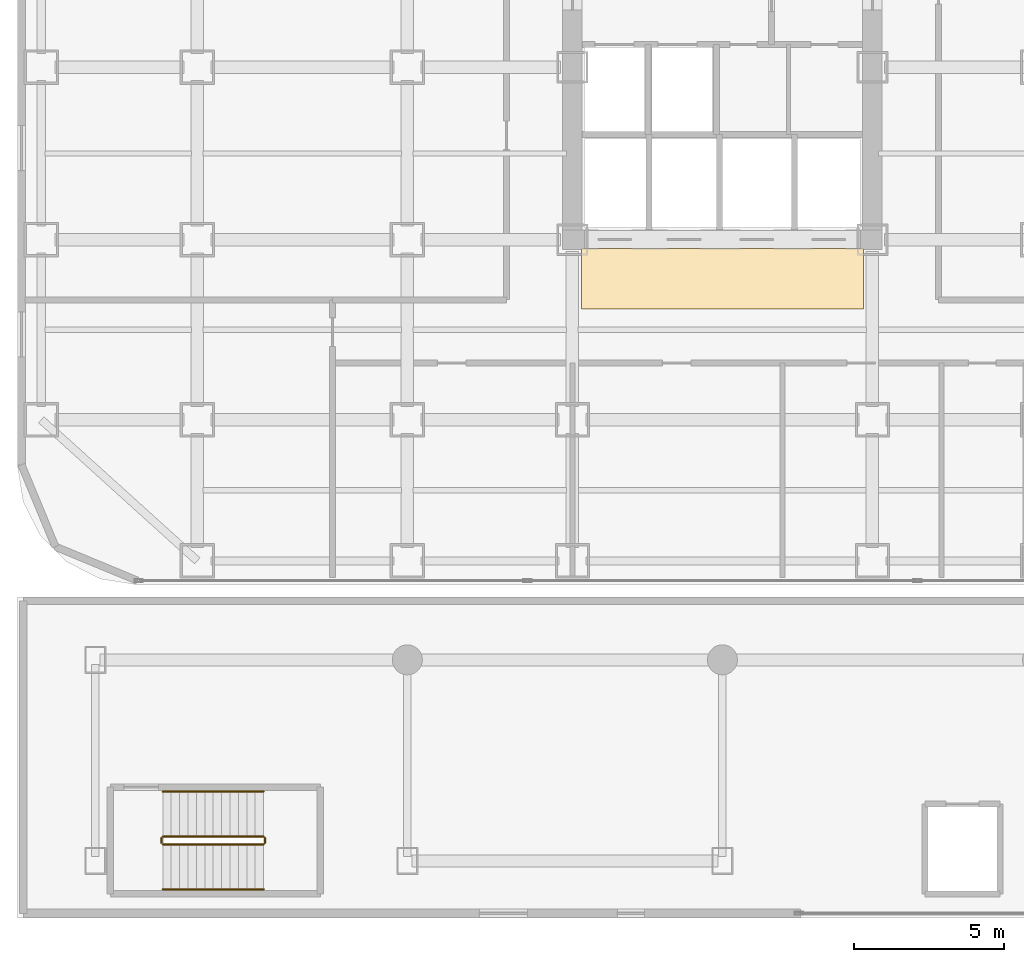
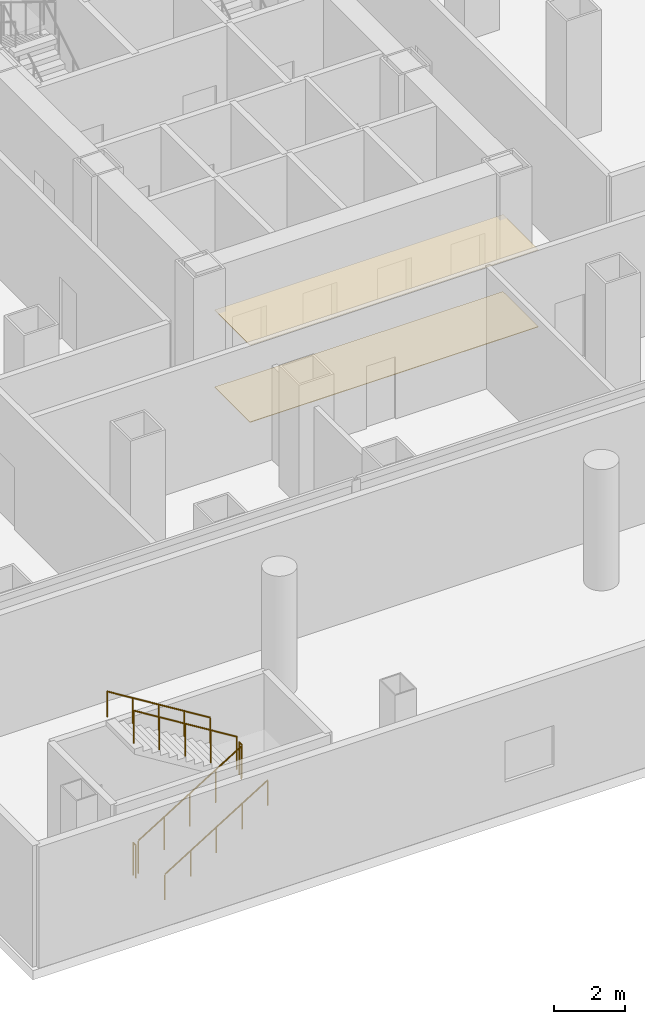
# One storey, part 24 of 27: 6 railings, 2 coverings.
"""IFC4 building model written with IfcOpenShell, lengths in metres."""

from ifc_helpers import new_model, si_unit, direction, frame, origin, origin_2d, place, context, subcontext, project, spatial, polyline, circle, outline, extrude, material, layer, layer_set, type_object, element, save


model = new_model("IFC4")

# Units and contexts
model_context = context("Model", 3, precision=1e-05, world=origin(), true_north=direction((0.0, 1.0)))
body_context = subcontext(model_context, "Body", "Model", "MODEL_VIEW")
ifc_project = project(units=[si_unit("LENGTHUNIT", "METRE"), si_unit("AREAUNIT", "SQUARE_METRE"), si_unit("VOLUMEUNIT", "CUBIC_METRE"), si_unit("PLANEANGLEUNIT", "RADIAN"), si_unit("MASSUNIT", "GRAM", prefix="KILO")], contexts=[model_context])

# Site, building, storey
site_placement = place(None, origin())
site = spatial("IfcSite", under=ifc_project, at=site_placement, CompositionType="ELEMENT")
building_placement = place(site_placement, origin())
building = spatial("IfcBuilding", under=site, at=building_placement, Name="Kolveth Station Tower", CompositionType="ELEMENT")
storey_placement = place(building_placement, frame((0.0, 0.0, 13.5)))
storey = spatial("IfcBuildingStorey", under=building, at=storey_placement, Name="L03", CompositionType="ELEMENT", Elevation=13.5)

# Coverings
ifc_material_1 = material(Name="Acoustic mineral-fibre ceiling tile")
ifc_layer_1 = layer(ifc_material_1, 0.02490234375)
ifc_layer_set_1 = layer_set([ifc_layer_1], Name="Acoustic mineral-fibre ceiling tile")
covering_type_1 = type_object("IfcCoveringType", Name="Ceil_CL1", PredefinedType="CEILING", material=ifc_layer_set_1)
covering_1_placement = place(storey_placement, frame((0.0, 0.0, 2.64990234375)))
element("IfcCovering", 1, at=covering_1_placement, inside=storey, type_object=covering_type_1, Name="L03 Lift Lobby Suspended Ceiling", PredefinedType="CEILING", context=body_context, shape_type="SweptSolid", body=[
    extrude(outline(polyline([(18.800048828125, 9.199951171875), (28.199951171875, 9.199951171875), (28.199951171875, 11.199951171875), (18.800048828125, 11.199951171875), (18.800048828125, 9.199951171875)])), origin(), (0.0, 0.0, 1.0), 0.025146484375),
])
ifc_material_2 = material(Name="Honed terrazzo flooring")
ifc_layer_2 = layer(ifc_material_2, 0.02001953125)
ifc_layer_set_2 = layer_set([ifc_layer_2], Name="Honed terrazzo flooring")
covering_type_2 = type_object("IfcCoveringType", Name="Floor_FL1", PredefinedType="FLOORING", material=ifc_layer_set_2)
covering_2_placement = place(storey_placement, origin())
element("IfcCovering", 2, at=covering_2_placement, inside=storey, type_object=covering_type_2, Name="L03 Lift Lobby Floor Finish", PredefinedType="FLOORING", context=body_context, shape_type="SweptSolid", body=[
    extrude(outline(polyline([(18.800048828125, 9.199951171875), (28.199951171875, 9.199951171875), (28.199951171875, 11.199951171875), (18.800048828125, 11.199951171875), (18.800048828125, 9.199951171875)])), origin(), (0.0, 0.0, 1.0), 0.02001953125),
])

# Railings
ifc_material_3 = material(Name="Painted Steel S355 balustrade", Category="steel")
railing_type_1 = type_object("IfcRailingType", Name="Guard_GR2", PredefinedType="BALUSTRADE", material=ifc_material_3)
railing_1_placement = place(storey_placement, frame((4.85009765625, -8.64990234375, 0.173095703125)))
element("IfcRailing", 3, at=railing_1_placement, inside=storey, type_object=railing_type_1, Name="L03 ST5 stair guard 1", PredefinedType="BALUSTRADE", context=body_context, shape_type="SweptSolid", body=[
    extrude(circle(Radius=0.02392578125, at=origin_2d()), frame((0.0, 0.0, 1.1259765625), z_axis=(0.850606129759, 0.0, 0.525803396734), x_axis=(0.0, 1.0, 0.0)), (0.0, 0.0, 1.0), 3.949951171875),
    extrude(circle(Radius=0.02099609375, at=origin_2d()), origin(), (0.0, 0.0, 1.0), 1.101806640625),
    extrude(circle(Radius=0.02099609375, at=origin_2d()), frame((0.83984375, 0.0, 0.519287109375)), (0.0, 0.0, 1.0), 1.101806640625),
    extrude(circle(Radius=0.02099609375, at=origin_2d()), frame((1.679931640625, 0.0, 1.03857421875)), (0.0, 0.0, 1.0), 1.101806640625),
    extrude(circle(Radius=0.02099609375, at=origin_2d()), frame((2.52001953125, 0.0, 1.5576171875)), (0.0, 0.0, 1.0), 1.101806640625),
    extrude(circle(Radius=0.02099609375, at=origin_2d()), frame((3.35986328125, 0.0, 2.076904296875)), (0.0, 0.0, 1.0), 1.101806640625),
])
railing_2_placement = place(storey_placement, frame((8.260009765625, -8.60009765625, 2.25)))
element("IfcRailing", 4, at=railing_2_placement, inside=storey, type_object=railing_type_1, Name="L03 ST5 stair guard 2", PredefinedType="BALUSTRADE", context=body_context, shape_type="SweptSolid", body=[
    extrude(circle(Radius=0.02392578125, at=origin_2d()), frame((0.0, 0.0, 1.1259765625), z_axis=(0.0, 1.0, 0.0), x_axis=(-1.0, 0.0, 0.0)), (0.0, 0.0, 1.0), 0.16015625),
    extrude(circle(Radius=0.02099609375, at=origin_2d()), origin(), (0.0, 0.0, 1.0), 1.101806640625),
    extrude(circle(Radius=0.02099609375, at=origin_2d()), frame((0.0, 0.16015625, 0.0)), (0.0, 0.0, 1.0), 1.101806640625),
])
railing_3_placement = place(storey_placement, frame((8.2099609375, -8.389892578125, 2.423095703125)))
element("IfcRailing", 5, at=railing_3_placement, inside=storey, type_object=railing_type_1, Name="L03 ST5 stair guard 3", PredefinedType="BALUSTRADE", context=body_context, shape_type="SweptSolid", body=[
    extrude(circle(Radius=0.02392578125, at=origin_2d()), frame((0.0, 0.0, 1.1259765625), z_axis=(-0.850606129759, 0.0, 0.525803396734), x_axis=(0.0, -1.0, 0.0)), (0.0, 0.0, 1.0), 3.949951171875),
    extrude(circle(Radius=0.02099609375, at=origin_2d()), origin(), (0.0, 0.0, 1.0), 1.101806640625),
    extrude(circle(Radius=0.02099609375, at=origin_2d()), frame((-0.83984375, 0.0, 0.519287109375)), (0.0, 0.0, 1.0), 1.101806640625),
    extrude(circle(Radius=0.02099609375, at=origin_2d()), frame((-1.679931640625, 0.0, 1.03857421875)), (0.0, 0.0, 1.0), 1.101806640625),
    extrude(circle(Radius=0.02099609375, at=origin_2d()), frame((-2.52001953125, 0.0, 1.5576171875)), (0.0, 0.0, 1.0), 1.101806640625),
    extrude(circle(Radius=0.02099609375, at=origin_2d()), frame((-3.35986328125, 0.0, 2.076904296875)), (0.0, 0.0, 1.0), 1.101806640625),
])
railing_4_placement = place(storey_placement, frame((4.800048828125, -8.60009765625, 0.0)))
element("IfcRailing", 6, at=railing_4_placement, inside=storey, type_object=railing_type_1, Name="L03 ST5 stair guard 4", PredefinedType="BALUSTRADE", context=body_context, shape_type="SweptSolid", body=[
    extrude(circle(Radius=0.02392578125, at=origin_2d()), frame((0.0, 0.0, 1.1259765625), z_axis=(0.0, 1.0, 0.0), x_axis=(-1.0, 0.0, 0.0)), (0.0, 0.0, 1.0), 0.16015625),
    extrude(circle(Radius=0.02099609375, at=origin_2d()), origin(), (0.0, 0.0, 1.0), 1.101806640625),
    extrude(circle(Radius=0.02099609375, at=origin_2d()), frame((0.0, 0.16015625, 0.0)), (0.0, 0.0, 1.0), 1.101806640625),
])
ifc_material_4 = material(Name="Brushed stainless steel", Category="steel")
railing_type_2 = type_object("IfcRailingType", Name="Handrail_HR1", PredefinedType="HANDRAIL", material=ifc_material_4)
railing_5_placement = place(storey_placement, frame((4.85009765625, -10.14990234375, 0.173095703125)))
element("IfcRailing", 7, at=railing_5_placement, inside=storey, type_object=railing_type_2, Name="L03 ST5 stair handrail 1", PredefinedType="HANDRAIL", context=body_context, shape_type="SweptSolid", body=[
    extrude(circle(Radius=0.02392578125, at=origin_2d()), frame((0.0, 0.0, 0.8759765625), z_axis=(0.850606129759, 0.0, 0.525803396734), x_axis=(0.0, 1.0, 0.0)), (0.0, 0.0, 1.0), 3.949951171875),
    extrude(circle(Radius=0.02099609375, at=origin_2d()), origin(), (0.0, 0.0, 1.0), 0.851806640625),
    extrude(circle(Radius=0.02099609375, at=origin_2d()), frame((0.83984375, 0.0, 0.519287109375)), (0.0, 0.0, 1.0), 0.851806640625),
    extrude(circle(Radius=0.02099609375, at=origin_2d()), frame((1.679931640625, 0.0, 1.03857421875)), (0.0, 0.0, 1.0), 0.851806640625),
    extrude(circle(Radius=0.02099609375, at=origin_2d()), frame((2.52001953125, 0.0, 1.5576171875)), (0.0, 0.0, 1.0), 0.851806640625),
    extrude(circle(Radius=0.02099609375, at=origin_2d()), frame((3.35986328125, 0.0, 2.076904296875)), (0.0, 0.0, 1.0), 0.851806640625),
])
railing_6_placement = place(storey_placement, frame((8.2099609375, -6.889892578125, 2.423095703125)))
element("IfcRailing", 8, at=railing_6_placement, inside=storey, type_object=railing_type_2, Name="L03 ST5 stair handrail 2", PredefinedType="HANDRAIL", context=body_context, shape_type="SweptSolid", body=[
    extrude(circle(Radius=0.02392578125, at=origin_2d()), frame((0.0, 0.0, 0.8759765625), z_axis=(-0.850606129759, 0.0, 0.525803396734), x_axis=(0.0, -1.0, 0.0)), (0.0, 0.0, 1.0), 3.949951171875),
    extrude(circle(Radius=0.02099609375, at=origin_2d()), origin(), (0.0, 0.0, 1.0), 0.851806640625),
    extrude(circle(Radius=0.02099609375, at=origin_2d()), frame((-0.83984375, 0.0, 0.519287109375)), (0.0, 0.0, 1.0), 0.851806640625),
    extrude(circle(Radius=0.02099609375, at=origin_2d()), frame((-1.679931640625, 0.0, 1.03857421875)), (0.0, 0.0, 1.0), 0.851806640625),
    extrude(circle(Radius=0.02099609375, at=origin_2d()), frame((-2.52001953125, 0.0, 1.5576171875)), (0.0, 0.0, 1.0), 0.851806640625),
    extrude(circle(Radius=0.02099609375, at=origin_2d()), frame((-3.35986328125, 0.0, 2.076904296875)), (0.0, 0.0, 1.0), 0.851806640625),
])

save(model, "model.ifc")
